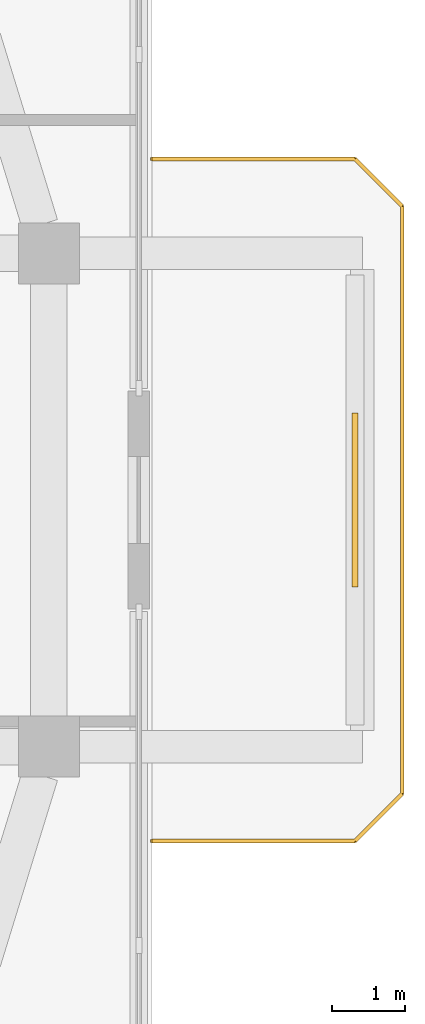
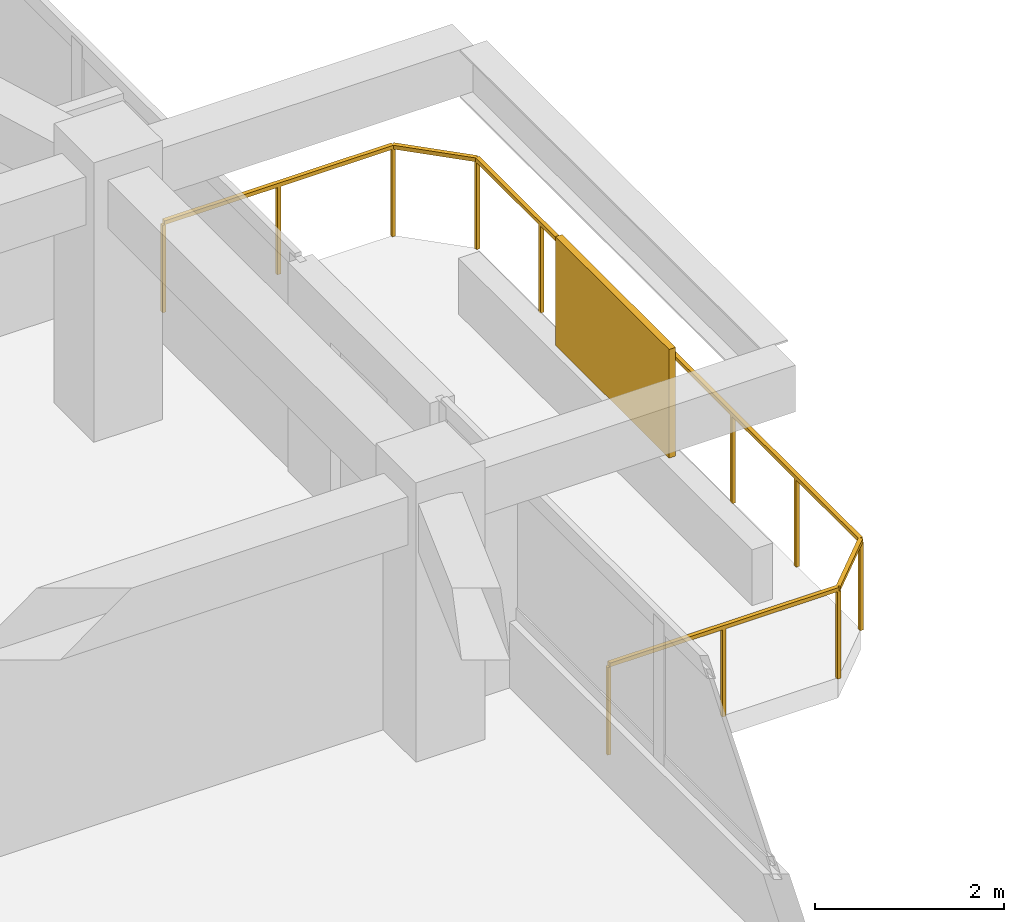
# One storey, part 14 of 14: 1 railing, 1 shading device.
"""IFC4 building model written with IfcOpenShell, lengths in metres."""

from ifc_helpers import new_model, si_unit, derived_unit, direction, frame, origin, origin_2d, place, context, subcontext, project, spatial, rectangle, extrude, material, layer, layer_set, type_object, element, save


model = new_model("IFC4")

# Units and contexts
model_context = context("Model", 3, precision=1e-05, world=origin(), true_north=direction((0.0, 1.0)))
body_context = subcontext(model_context, "Body", "Model", "MODEL_VIEW")
ifc_project = project(units=[si_unit("LENGTHUNIT", "METRE"), si_unit("AREAUNIT", "SQUARE_METRE"), si_unit("VOLUMEUNIT", "CUBIC_METRE"), si_unit("PLANEANGLEUNIT", "RADIAN"), si_unit("MASSUNIT", "GRAM", prefix="KILO"), derived_unit("THERMALTRANSMITTANCEUNIT", [(si_unit("POWERUNIT", "WATT"), 1), (si_unit("LENGTHUNIT", "METRE"), -2), (si_unit("THERMODYNAMICTEMPERATUREUNIT", "KELVIN"), -1)])], contexts=[model_context])

# Site, building, storey
site_placement = place(None, origin())
site = spatial("IfcSite", under=ifc_project, at=site_placement, CompositionType="ELEMENT")
building_placement = place(site_placement, origin())
building = spatial("IfcBuilding", under=site, at=building_placement, Name="Koralith Skygarden Medical Center", CompositionType="ELEMENT")
storey_placement = place(building_placement, frame((0.0, 0.0, 257.219970703125)))
storey = spatial("IfcBuildingStorey", under=building, at=storey_placement, Name="L66", CompositionType="ELEMENT", Elevation=257.219970703125)

# Railing
ifc_material_1 = material(Name="Steel ASTM A500 Grade C", Category="steel")
railing_type = type_object("IfcRailingType", Name="Outdoor Terrace & Balcony Safety Guardrail 1180", PredefinedType="GUARDRAIL", material=ifc_material_1)
railing_placement = place(storey_placement, frame((61.89990234375, 21.199951171875, 0.0)))
element("IfcRailing", 1, at=railing_placement, inside=storey, type_object=railing_type, Name="L66 E Balcony Perimeter Guardrail", PredefinedType="GUARDRAIL", context=body_context, shape_type="SweptSolid", body=[
    extrude(rectangle(XDim=0.050048828125, YDim=0.050048828125, at=origin_2d()), frame((0.001953125, 0.0, 1.15478515625), z_axis=(1.0, 0.0, 0.0), x_axis=(0.0, 1.0, 0.0)), (0.0, 0.0, 1.0), 2.796142578125),
    extrude(rectangle(XDim=0.050048828125, YDim=0.050048828125, at=origin_2d()), frame((2.801513671875, 0.00146484375, 1.15478515625), z_axis=(0.707106781187, 0.707106781187, 0.0), x_axis=(-0.707106781187, 0.707106781187, 0.0)), (0.0, 0.0, 1.0), 0.91552734375),
    extrude(rectangle(XDim=0.050048828125, YDim=0.050048828125, at=origin_2d()), frame((3.4501953125, 0.652099609375, 1.15478515625), z_axis=(0.0, 1.0, 0.0), x_axis=(-1.0, 0.0, 0.0)), (0.0, 0.0, 1.0), 8.095947265625),
    extrude(rectangle(XDim=0.050048828125, YDim=0.050048828125, at=origin_2d()), frame((3.44873046875, 8.75146484375, 1.15478515625), z_axis=(-0.707106781187, 0.707106781187, 0.0), x_axis=(-0.707106781187, -0.707106781187, 0.0)), (0.0, 0.0, 1.0), 0.91552734375),
    extrude(rectangle(XDim=0.050048828125, YDim=0.050048828125, at=origin_2d()), frame((2.798095703125, 9.400146484375, 1.15478515625), z_axis=(-1.0, 0.0, 0.0), x_axis=(0.0, -1.0, 0.0)), (0.0, 0.0, 1.0), 2.796142578125),
    extrude(rectangle(XDim=0.0419921875, YDim=0.0419921875, at=origin_2d()), origin(), (0.0, 0.0, 1.0), 1.1279296875),
    extrude(rectangle(XDim=0.0419921875, YDim=0.0419921875, at=origin_2d()), frame((1.39990234375, 0.0, 0.0)), (0.0, 0.0, 1.0), 1.1279296875),
    extrude(rectangle(XDim=0.0419921875, YDim=0.0419921875, at=origin_2d()), frame((2.800048828125, 0.0, 0.0)), (0.0, 0.0, 1.0), 1.1279296875),
    extrude(rectangle(XDim=0.0419921875, YDim=0.0419921875, at=origin_2d()), frame((3.4501953125, 0.650146484375, 0.0)), (0.0, 0.0, 1.0), 1.1279296875),
    extrude(rectangle(XDim=0.0419921875, YDim=0.0419921875, at=origin_2d()), frame((3.4501953125, 2.0, 0.0)), (0.0, 0.0, 1.0), 1.1279296875),
    extrude(rectangle(XDim=0.0419921875, YDim=0.0419921875, at=origin_2d()), frame((3.4501953125, 3.35009765625, 0.0)), (0.0, 0.0, 1.0), 1.1279296875),
    extrude(rectangle(XDim=0.0419921875, YDim=0.0419921875, at=origin_2d()), frame((3.4501953125, 4.7001953125, 0.0)), (0.0, 0.0, 1.0), 1.1279296875),
    extrude(rectangle(XDim=0.0419921875, YDim=0.0419921875, at=origin_2d()), frame((3.4501953125, 6.050048828125, 0.0)), (0.0, 0.0, 1.0), 1.1279296875),
    extrude(rectangle(XDim=0.0419921875, YDim=0.0419921875, at=origin_2d()), frame((3.4501953125, 7.39990234375, 0.0)), (0.0, 0.0, 1.0), 1.1279296875),
    extrude(rectangle(XDim=0.0419921875, YDim=0.0419921875, at=origin_2d()), frame((3.4501953125, 8.75, 0.0)), (0.0, 0.0, 1.0), 1.1279296875),
    extrude(rectangle(XDim=0.0419921875, YDim=0.0419921875, at=origin_2d()), frame((2.800048828125, 9.400146484375, 0.0)), (0.0, 0.0, 1.0), 1.1279296875),
    extrude(rectangle(XDim=0.0419921875, YDim=0.0419921875, at=origin_2d()), frame((1.39990234375, 9.400146484375, 0.0)), (0.0, 0.0, 1.0), 1.1279296875),
    extrude(rectangle(XDim=0.0419921875, YDim=0.0419921875, at=origin_2d()), frame((0.0, 9.400146484375, 0.0)), (0.0, 0.0, 1.0), 1.1279296875),
])

# Shading device
ifc_material_2 = material(Name="Aluminium 6063-T6", Category="aluminium")
ifc_layer = layer(ifc_material_2, 0.080078125)
ifc_layer_set = layer_set([ifc_layer], Name="Aluminium 6063-T6")
shading_device_type = type_object("IfcShadingDeviceType", Name="Perforated Biophilic Balcony Trellis Screen", PredefinedType="USERDEFINED", material=ifc_layer_set)
shading_device_placement = place(storey_placement, frame((64.699951171875, 25.89990234375, 0.719970703125), z_axis=(0.0, 0.0, 1.0), x_axis=(0.0, 1.0, 0.0)))
element("IfcShadingDevice", 2, at=shading_device_placement, inside=storey, type_object=shading_device_type, Name="L66 E Biophilic Balcony Trellis Screen", ObjectType="HURRICANE SCREEN", PredefinedType="USERDEFINED", context=body_context, shape_type="SweptSolid", body=[
    extrude(rectangle(XDim=2.39990234375, YDim=0.080078125, at=origin_2d()), origin(), (0.0, 0.0, 1.0), 1.39990234375),
])

save(model, "model.ifc")
